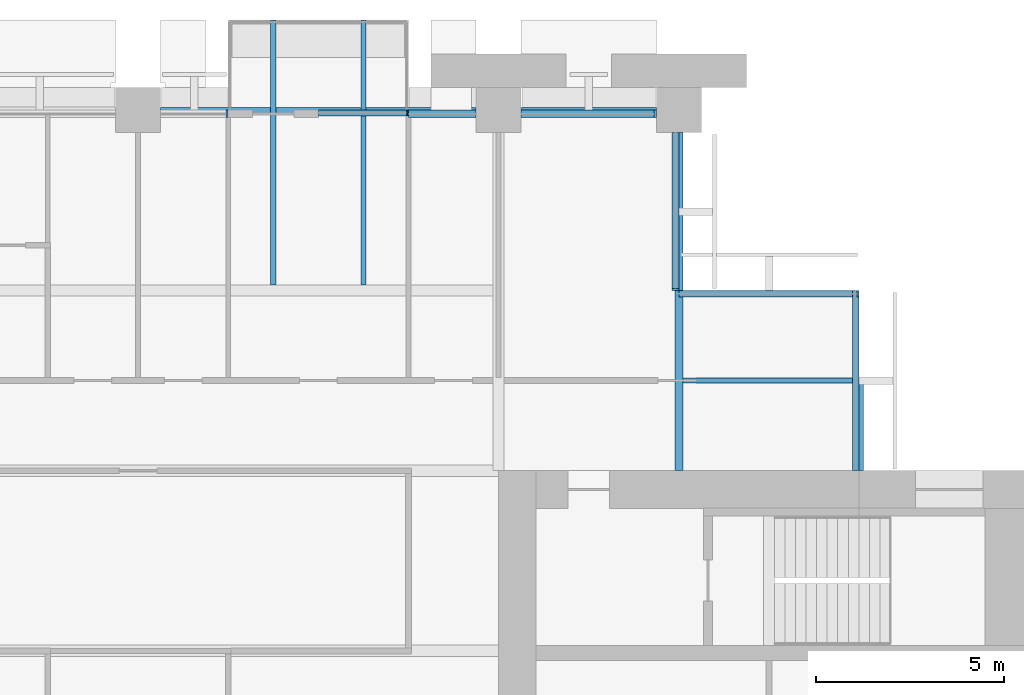
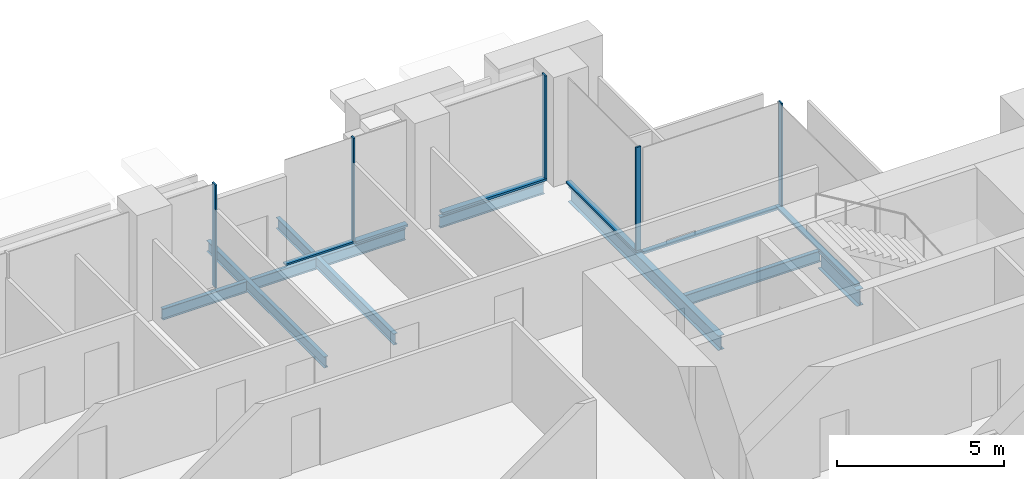
# One storey, part 7 of 15: 11 members, 9 beams, 6 elements without a shape of their own.
"""IFC4 building model written with IfcOpenShell, lengths in metres."""

from ifc_helpers import new_model, si_unit, direction, frame, origin, origin_2d, place, context, subcontext, project, spatial, rectangle, i_section, extrude, material, material_profile, profile_set, type_object, element, aggregate, save


model = new_model("IFC4")

# Units and contexts
model_context = context("Model", 3, precision=1e-05, world=origin(), true_north=direction((0.0, 1.0)))
body_context = subcontext(model_context, "Body", "Model", "MODEL_VIEW")
ifc_project = project(units=[si_unit("LENGTHUNIT", "METRE"), si_unit("AREAUNIT", "SQUARE_METRE"), si_unit("VOLUMEUNIT", "CUBIC_METRE"), si_unit("PLANEANGLEUNIT", "RADIAN"), si_unit("MASSUNIT", "GRAM", prefix="KILO")], contexts=[model_context])

# Site, building, storey
site_placement = place(None, origin())
site = spatial("IfcSite", under=ifc_project, at=site_placement, CompositionType="ELEMENT")
building_placement = place(site_placement, origin())
building = spatial("IfcBuilding", under=site, at=building_placement, Name="Baori Bourse Tower", CompositionType="ELEMENT")
storey_placement = place(building_placement, frame((0.0, 0.0, 164.10009765625)))
storey = spatial("IfcBuildingStorey", under=building, at=storey_placement, Name="L36", CompositionType="ELEMENT", Elevation=164.10009765625)

# Beams
ifc_material_1 = material(Name="Steel A992 Gr 50", Category="steel")
ifc_material_profile_1 = material_profile(ifc_material_1, i_section(OverallWidth=0.140380859375, OverallDepth=0.40380859375, WebThickness=0.007080078125, FlangeThickness=0.01123046875, at=origin_2d()), Name="W16x31")
ifc_profile_set_1 = profile_set([ifc_material_profile_1], Name="Steel A992 Gr 50")
beam_type_1 = type_object("IfcBeamType", Name="Balcony beam W16x31", PredefinedType="BEAM", material=ifc_profile_set_1)
for number, where, z_axis, x_axis, name in (
    (1, (32.39990234375, 50.39990234375, -0.362060546875), (0.0, -1.0, 0.0), (1.0, 0.0, 0.0), "Balcony beam L36"),
    (2, (34.800048828125, 50.39990234375, -0.362060546875), (0.0, -1.0, 0.0), (1.0, 0.0, 0.0), "Balcony beam L36"),
):
    element("IfcBeam", number, at=place(storey_placement, frame(where, z_axis=z_axis, x_axis=x_axis)), inside=storey, type_object=beam_type_1, Name=name, PredefinedType="BEAM", context=body_context, shape_type="SweptSolid", body=[
        extrude(i_section(OverallWidth=0.140380859375, OverallDepth=0.40380859375, WebThickness=0.007080078125, FlangeThickness=0.01123046875, at=origin_2d()), origin(), (0.0, 0.0, 1.0), 7.050048828125),
    ])

# Curtain wall, member
ifc_material_2 = material(Name="Pale anodised aluminium", Category="aluminium")
curtain_wall_type_1 = type_object("IfcCurtainWallType", Name="CW1 Curtain wall", PredefinedType="NOTDEFINED", material=ifc_material_2)
curtain_wall_1_placement = place(storey_placement, origin())
curtain_wall_1 = element("IfcCurtainWall", 3, at=curtain_wall_1_placement, inside=storey, type_object=curtain_wall_type_1, Name="Curtain wall CW1 L36 4", PredefinedType="NOTDEFINED")
ifc_material_3 = material(Name="Pale anodised aluminium", Category="aluminium")
ifc_material_profile_2 = material_profile(ifc_material_3, rectangle(XDim=0.199951171875, YDim=0.06005859375, at=origin_2d()), Name="Mullion 60x200")
ifc_profile_set_2 = profile_set([ifc_material_profile_2], Name="Pale anodised aluminium")
member_type_1 = type_object("IfcMemberType", Name="CW1 Curtain wall mullion", PredefinedType="MULLION", material=ifc_profile_set_2)
member_1_placement = place(storey_placement, frame((42.570068359375, 47.89990234375, 0.079833984375), z_axis=(0.0, 0.0, 1.0), x_axis=(0.0, -1.0, 0.0)))
member_1 = element("IfcMember", 4, at=member_1_placement, type_object=member_type_1, Name="Curtain wall CW1 mullion", PredefinedType="MULLION", context=body_context, shape_type="SweptSolid", body=[
    extrude(rectangle(XDim=0.199951171875, YDim=0.06005859375, at=origin_2d()), origin(), (0.0, 0.0, 1.0), 3.760009765625),
])

curtain_wall_2_placement = place(storey_placement, origin())
curtain_wall_2 = element("IfcCurtainWall", 5, at=curtain_wall_2_placement, inside=storey, type_object=curtain_wall_type_1, Name="Curtain wall CW1 L36 6", PredefinedType="NOTDEFINED")
member_2_placement = place(storey_placement, frame((31.169921875, 47.89990234375, 0.079833984375), z_axis=(0.0, 0.0, 1.0), x_axis=(0.0, -1.0, 0.0)))
member_2 = element("IfcMember", 6, at=member_2_placement, type_object=member_type_1, Name="Curtain wall CW1 mullion", PredefinedType="MULLION", context=body_context, shape_type="SweptSolid", body=[
    extrude(rectangle(XDim=0.199951171875, YDim=0.06005859375, at=origin_2d()), origin(), (0.0, 0.0, 1.0), 3.760009765625),
])
aggregate(curtain_wall_2, [member_2])

# Member
ifc_material_4 = material(Name="Pale anodised aluminium", Category="aluminium")
ifc_material_profile_3 = material_profile(ifc_material_4, rectangle(XDim=0.199951171875, YDim=0.080078125, at=origin_2d()), Name="Transom 80x200")
ifc_profile_set_3 = profile_set([ifc_material_profile_3], Name="Pale anodised aluminium")
member_type_2 = type_object("IfcMemberType", Name="CW1 Curtain wall transom", PredefinedType="USERDEFINED", material=ifc_profile_set_3)
member_3_placement = place(storey_placement, frame((42.60009765625, 47.89990234375, 0.039794921875), z_axis=(-1.0, 0.0, 0.0), x_axis=(0.0, -1.0, 0.0)))
member_3 = element("IfcMember", 7, at=member_3_placement, type_object=member_type_2, Name="Curtain wall CW1 sill rail", ObjectType="TRANSOM", PredefinedType="USERDEFINED", context=body_context, shape_type="SweptSolid", body=[
    extrude(rectangle(XDim=0.199951171875, YDim=0.080078125, at=origin_2d()), origin(), (0.0, 0.0, 1.0), 3.60009765625),
])

member_4_placement = place(storey_placement, frame((37.800048828125, 47.89990234375, 0.039794921875), z_axis=(-1.0, 0.0, 0.0), x_axis=(0.0, -1.0, 0.0)))
member_4 = element("IfcMember", 8, at=member_4_placement, type_object=member_type_2, Name="Curtain wall CW1 sill rail", ObjectType="TRANSOM", PredefinedType="USERDEFINED", context=body_context, shape_type="SweptSolid", body=[
    extrude(rectangle(XDim=0.199951171875, YDim=0.080078125, at=origin_2d()), origin(), (0.0, 0.0, 1.0), 1.800048828125),
])

aggregate(curtain_wall_1, [member_3, member_1, member_4])

# Curtain wall, member
ifc_material_5 = material(Name="Pale anodised aluminium", Category="aluminium")
curtain_wall_type_2 = type_object("IfcCurtainWallType", Name="CW2 Curtain wall", PredefinedType="NOTDEFINED", material=ifc_material_5)
curtain_wall_3_placement = place(storey_placement, origin())
curtain_wall_3 = element("IfcCurtainWall", 9, at=curtain_wall_3_placement, inside=storey, type_object=curtain_wall_type_2, Name="Curtain wall CW2 L36 2", PredefinedType="NOTDEFINED")
ifc_material_6 = material(Name="Pale anodised aluminium", Category="aluminium")
ifc_material_profile_4 = material_profile(ifc_material_6, rectangle(XDim=0.179931640625, YDim=0.054931640625, at=origin_2d()), Name="Mullion 55x180")
ifc_profile_set_4 = profile_set([ifc_material_profile_4], Name="Pale anodised aluminium")
member_type_3 = type_object("IfcMemberType", Name="CW2 Curtain wall mullion", PredefinedType="MULLION", material=ifc_profile_set_4)
member_5_placement = place(storey_placement, frame((47.972412109375, 43.110107421875, 0.06982421875), z_axis=(0.0, 0.0, 1.0), x_axis=(0.0, -1.0, 0.0)))
member_5 = element("IfcMember", 10, at=member_5_placement, type_object=member_type_3, Name="Curtain wall CW2 mullion", PredefinedType="MULLION", context=body_context, shape_type="SweptSolid", body=[
    extrude(rectangle(XDim=0.179931640625, YDim=0.054931640625, at=origin_2d()), origin(), (0.0, 0.0, 1.0), 3.77001953125),
])

curtain_wall_4_placement = place(storey_placement, origin())
curtain_wall_4 = element("IfcCurtainWall", 11, at=curtain_wall_4_placement, inside=storey, type_object=curtain_wall_type_2, Name="Curtain wall CW2 L36 3", PredefinedType="NOTDEFINED")
member_6_placement = place(storey_placement, frame((43.110107421875, 43.2275390625, 0.06982421875), z_axis=(0.0, 0.0, 1.0), x_axis=(-1.0, 0.0, 0.0)))
member_6 = element("IfcMember", 12, at=member_6_placement, type_object=member_type_3, Name="Curtain wall CW2 mullion", PredefinedType="MULLION", context=body_context, shape_type="SweptSolid", body=[
    extrude(rectangle(XDim=0.179931640625, YDim=0.054931640625, at=origin_2d()), origin(), (0.0, 0.0, 1.0), 3.77001953125),
])

curtain_wall_5_placement = place(storey_placement, origin())
curtain_wall_5 = element("IfcCurtainWall", 13, at=curtain_wall_5_placement, inside=storey, type_object=curtain_wall_type_2, Name="Curtain wall CW2 L36 1", PredefinedType="NOTDEFINED")
ifc_material_7 = material(Name="Pale anodised aluminium", Category="aluminium")
ifc_material_profile_5 = material_profile(ifc_material_7, rectangle(XDim=0.179931640625, YDim=0.070068359375, at=origin_2d()), Name="Transom 70x180")
ifc_profile_set_5 = profile_set([ifc_material_profile_5], Name="Pale anodised aluminium")
member_type_4 = type_object("IfcMemberType", Name="CW2 Curtain wall transom", PredefinedType="USERDEFINED", material=ifc_profile_set_5)
member_7_placement = place(storey_placement, frame((47.909912109375, 38.39990234375, 0.034912109375), z_axis=(0.0, 1.0, 0.0), x_axis=(-1.0, 0.0, 0.0)))
member_7 = element("IfcMember", 14, at=member_7_placement, type_object=member_type_4, Name="Curtain wall CW2 sill rail", ObjectType="TRANSOM", PredefinedType="USERDEFINED", context=body_context, shape_type="SweptSolid", body=[
    extrude(rectangle(XDim=0.179931640625, YDim=0.070068359375, at=origin_2d()), origin(), (0.0, 0.0, 1.0), 4.800048828125),
])
aggregate(curtain_wall_5, [member_7])

# Member
member_8_placement = place(storey_placement, frame((48.0, 43.110107421875, 0.034912109375), z_axis=(-1.0, 0.0, 0.0), x_axis=(0.0, -1.0, 0.0)))
member_8 = element("IfcMember", 15, at=member_8_placement, type_object=member_type_4, Name="Curtain wall CW2 sill rail", ObjectType="TRANSOM", PredefinedType="USERDEFINED", context=body_context, shape_type="SweptSolid", body=[
    extrude(rectangle(XDim=0.179931640625, YDim=0.070068359375, at=origin_2d()), origin(), (0.0, 0.0, 1.0), 4.800048828125),
])

aggregate(curtain_wall_3, [member_8, member_5])

member_9_placement = place(storey_placement, frame((43.110107421875, 43.199951171875, 0.034912109375), z_axis=(0.0, 1.0, 0.0), x_axis=(-1.0, 0.0, 0.0)))
member_9 = element("IfcMember", 16, at=member_9_placement, type_object=member_type_4, Name="Curtain wall CW2 sill rail", ObjectType="TRANSOM", PredefinedType="USERDEFINED", context=body_context, shape_type="SweptSolid", body=[
    extrude(rectangle(XDim=0.179931640625, YDim=0.070068359375, at=origin_2d()), origin(), (0.0, 0.0, 1.0), 4.199951171875),
])

aggregate(curtain_wall_4, [member_9, member_6])

# Curtain wall, members
ifc_material_8 = material(Name="Pale anodised aluminium", Category="aluminium")
curtain_wall_type_3 = type_object("IfcCurtainWallType", Name="CW6 Curtain wall", PredefinedType="NOTDEFINED", material=ifc_material_8)
curtain_wall_6_placement = place(storey_placement, origin())
curtain_wall_6 = element("IfcCurtainWall", 17, at=curtain_wall_6_placement, inside=storey, type_object=curtain_wall_type_3, Name="Curtain wall CW6 L36 5", PredefinedType="NOTDEFINED")
ifc_material_9 = material(Name="Pale anodised aluminium", Category="aluminium")
ifc_material_profile_6 = material_profile(ifc_material_9, rectangle(XDim=0.14990234375, YDim=0.050048828125, at=origin_2d()), Name="Mullion 50x150")
ifc_profile_set_6 = profile_set([ifc_material_profile_6], Name="Pale anodised aluminium")
member_type_5 = type_object("IfcMemberType", Name="CW6 Curtain wall mullion", PredefinedType="MULLION", material=ifc_profile_set_6)
member_10_placement = place(storey_placement, frame((35.97509765625, 47.925048828125, 0.06494140625), z_axis=(0.0, 0.0, 1.0), x_axis=(0.0, -1.0, 0.0)))
member_10 = element("IfcMember", 18, at=member_10_placement, type_object=member_type_5, Name="Curtain wall CW6 mullion", PredefinedType="MULLION", context=body_context, shape_type="SweptSolid", body=[
    extrude(rectangle(XDim=0.14990234375, YDim=0.050048828125, at=origin_2d()), origin(), (0.0, 0.0, 1.0), 3.77490234375),
])
ifc_material_10 = material(Name="Pale anodised aluminium", Category="aluminium")
ifc_material_profile_7 = material_profile(ifc_material_10, rectangle(XDim=0.14990234375, YDim=0.06494140625, at=origin_2d()), Name="Transom 65x150")
ifc_profile_set_7 = profile_set([ifc_material_profile_7], Name="Pale anodised aluminium")
member_type_6 = type_object("IfcMemberType", Name="CW6 Curtain wall transom", PredefinedType="USERDEFINED", material=ifc_profile_set_7)
member_11_placement = place(storey_placement, frame((36.0, 47.925048828125, 0.032470703125), z_axis=(-1.0, 0.0, 0.0), x_axis=(0.0, -1.0, 0.0)))
member_11 = element("IfcMember", 19, at=member_11_placement, type_object=member_type_6, Name="Curtain wall CW6 sill rail", ObjectType="TRANSOM", PredefinedType="USERDEFINED", context=body_context, shape_type="SweptSolid", body=[
    extrude(rectangle(XDim=0.14990234375, YDim=0.06494140625, at=origin_2d()), origin(), (0.0, 0.0, 1.0), 2.39990234375),
])
aggregate(curtain_wall_6, [member_11, member_10])

# Beams
ifc_material_11 = material(Name="Steel A992 Gr 50", Category="steel")
ifc_material_profile_8 = material_profile(ifc_material_11, i_section(OverallWidth=0.227783203125, OverallDepth=0.60205078125, WebThickness=0.010498046875, FlangeThickness=0.014892578125, at=origin_2d()), Name="W24x68")
ifc_profile_set_8 = profile_set([ifc_material_profile_8], Name="Steel A992 Gr 50")
beam_type_2 = type_object("IfcBeamType", Name="Core bracket W24x68", PredefinedType="BEAM", material=ifc_profile_set_8)
beam_1_placement = place(storey_placement, frame((48.0, 38.39990234375, -0.461181640625), z_axis=(0.0, 1.0, 0.0), x_axis=(-1.0, 0.0, 0.0)))
element("IfcBeam", 20, at=beam_1_placement, inside=storey, type_object=beam_type_2, Name="Core bracket L36", PredefinedType="BEAM", context=body_context, shape_type="SweptSolid", body=[
    extrude(i_section(OverallWidth=0.227783203125, OverallDepth=0.60205078125, WebThickness=0.010498046875, FlangeThickness=0.014892578125, at=origin_2d()), origin(), (0.0, 0.0, 1.0), 2.329833984375),
])
ifc_material_12 = material(Name="Steel A992 Gr 50", Category="steel")
ifc_material_profile_9 = material_profile(ifc_material_12, i_section(OverallWidth=0.140380859375, OverallDepth=0.40380859375, WebThickness=0.007080078125, FlangeThickness=0.01123046875, at=origin_2d()), Name="W16x31")
ifc_profile_set_9 = profile_set([ifc_material_profile_9], Name="Steel A992 Gr 50")
beam_type_3 = type_object("IfcBeamType", Name="Edge beam W16x31", PredefinedType="BEAM", material=ifc_profile_set_9)
beam_2_placement = place(storey_placement, frame((29.39990234375, 48.0, -0.362060546875), z_axis=(1.0, 0.0, 0.0), x_axis=(0.0, 1.0, 0.0)))
element("IfcBeam", 21, at=beam_2_placement, inside=storey, type_object=beam_type_3, Name="Edge beam L36", PredefinedType="BEAM", context=body_context, shape_type="SweptSolid", body=[
    extrude(i_section(OverallWidth=0.140380859375, OverallDepth=0.40380859375, WebThickness=0.007080078125, FlangeThickness=0.01123046875, at=origin_2d()), origin(), (0.0, 0.0, 1.0), 2.929931640625),
])
beam_3_placement = place(storey_placement, frame((32.47021484375, 48.0, -0.362060546875), z_axis=(1.0, 0.0, 0.0), x_axis=(0.0, 1.0, 0.0)))
element("IfcBeam", 22, at=beam_3_placement, inside=storey, type_object=beam_type_3, Name="Edge beam L36", PredefinedType="BEAM", context=body_context, shape_type="SweptSolid", body=[
    extrude(i_section(OverallWidth=0.140380859375, OverallDepth=0.40380859375, WebThickness=0.007080078125, FlangeThickness=0.01123046875, at=origin_2d()), origin(), (0.0, 0.0, 1.0), 2.259521484375),
])
beam_4_placement = place(storey_placement, frame((34.8701171875, 48.0, -0.362060546875), z_axis=(1.0, 0.0, 0.0), x_axis=(0.0, 1.0, 0.0)))
element("IfcBeam", 23, at=beam_4_placement, inside=storey, type_object=beam_type_3, Name="Edge beam L36", PredefinedType="BEAM", context=body_context, shape_type="SweptSolid", body=[
    extrude(i_section(OverallWidth=0.140380859375, OverallDepth=0.40380859375, WebThickness=0.007080078125, FlangeThickness=0.01123046875, at=origin_2d()), origin(), (0.0, 0.0, 1.0), 2.929931640625),
])
beam_5_placement = place(storey_placement, frame((39.0, 48.0, -0.362060546875), z_axis=(1.0, 0.0, 0.0), x_axis=(0.0, 1.0, 0.0)))
element("IfcBeam", 24, at=beam_5_placement, inside=storey, type_object=beam_type_3, Name="Edge beam L36", PredefinedType="BEAM", context=body_context, shape_type="SweptSolid", body=[
    extrude(i_section(OverallWidth=0.140380859375, OverallDepth=0.40380859375, WebThickness=0.007080078125, FlangeThickness=0.01123046875, at=origin_2d()), origin(), (0.0, 0.0, 1.0), 3.60009765625),
])
ifc_material_13 = material(Name="Steel A992 Gr 50", Category="steel")
ifc_material_profile_10 = material_profile(ifc_material_13, i_section(OverallWidth=0.209228515625, OverallDepth=0.533447265625, WebThickness=0.01025390625, FlangeThickness=0.015625, at=origin_2d()), Name="W21x62")
ifc_profile_set_10 = profile_set([ifc_material_profile_10], Name="Steel A992 Gr 50")
beam_type_4 = type_object("IfcBeamType", Name="Floor beam W21x62", PredefinedType="BEAM", material=ifc_profile_set_10)
beam_6_placement = place(storey_placement, frame((43.199951171875, 38.39990234375, -0.4267578125), z_axis=(0.0, 1.0, 0.0), x_axis=(-1.0, 0.0, 0.0)))
element("IfcBeam", 25, at=beam_6_placement, inside=storey, type_object=beam_type_4, Name="Floor beam L36", PredefinedType="BEAM", context=body_context, shape_type="SweptSolid", body=[
    extrude(i_section(OverallWidth=0.209228515625, OverallDepth=0.533447265625, WebThickness=0.01025390625, FlangeThickness=0.015625, at=origin_2d()), origin(), (0.0, 0.0, 1.0), 9.0),
])
ifc_material_14 = material(Name="Steel A992 Gr 50", Category="steel")
ifc_material_profile_11 = material_profile(ifc_material_14, i_section(OverallWidth=0.140380859375, OverallDepth=0.40380859375, WebThickness=0.007080078125, FlangeThickness=0.01123046875, at=origin_2d()), Name="W16x31")
ifc_profile_set_11 = profile_set([ifc_material_profile_11], Name="Steel A992 Gr 50")
beam_type_5 = type_object("IfcBeamType", Name="Trimmer beam W16x31", PredefinedType="BEAM", material=ifc_profile_set_11)
beam_7_placement = place(storey_placement, frame((43.3046875, 40.800048828125, -0.362060546875), z_axis=(1.0, 0.0, 0.0), x_axis=(0.0, 1.0, 0.0)))
element("IfcBeam", 26, at=beam_7_placement, inside=storey, type_object=beam_type_5, Name="Trimmer beam L36", PredefinedType="BEAM", context=body_context, shape_type="SweptSolid", body=[
    extrude(i_section(OverallWidth=0.140380859375, OverallDepth=0.40380859375, WebThickness=0.007080078125, FlangeThickness=0.01123046875, at=origin_2d()), origin(), (0.0, 0.0, 1.0), 4.6953125),
])

save(model, "model.ifc")
